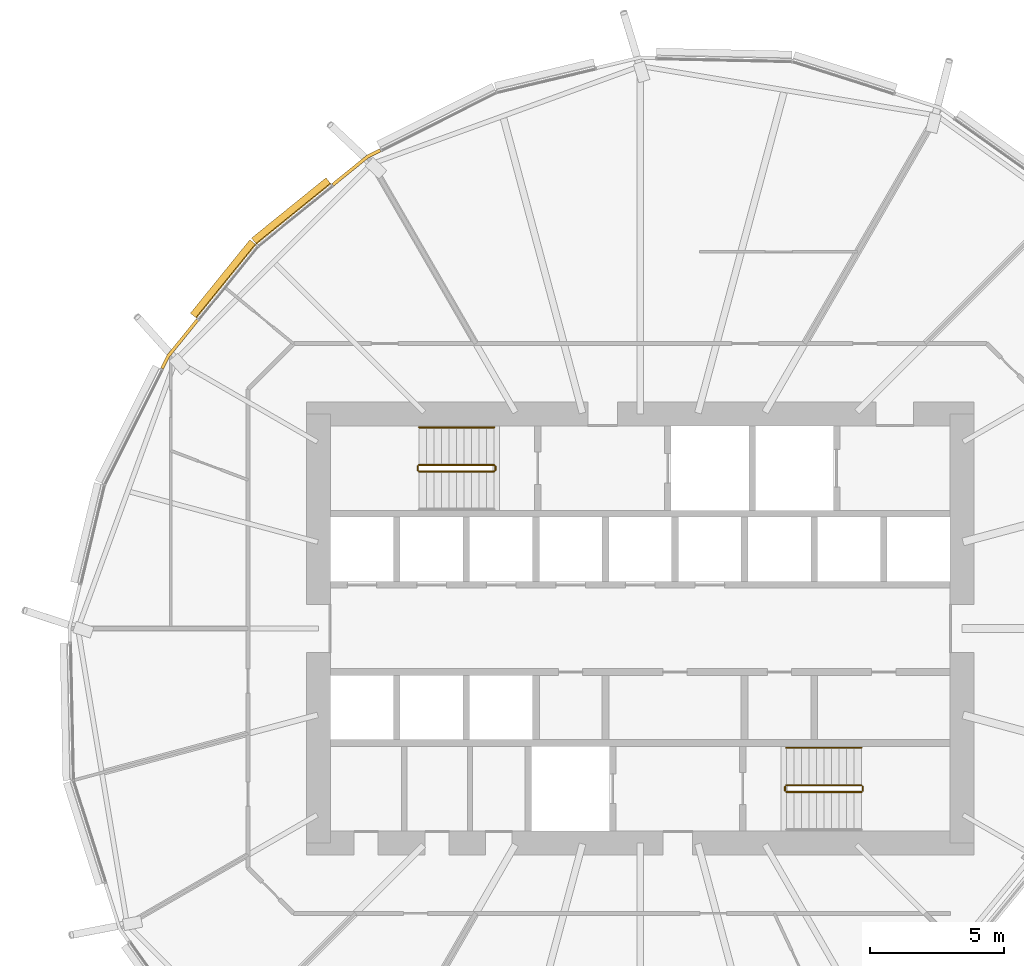
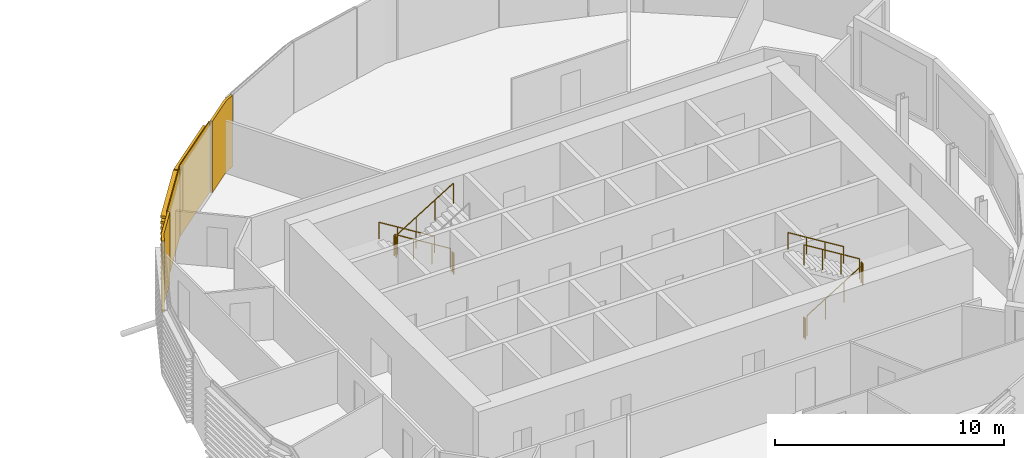
# One storey, part 36 of 37: 10 railings, 4 coverings.
"""IFC4 building model written with IfcOpenShell, lengths in metres."""

from ifc_helpers import new_model, si_unit, direction, frame, origin, origin_2d, place, context, subcontext, project, spatial, polyline, circle, outline, extrude, material, layer, layer_set, material_profile, profile_set, type_object, element, save


model = new_model("IFC4")

# Units and contexts
model_context = context("Model", 3, precision=1e-05, world=origin(), true_north=direction((0.0, 1.0)))
body_context = subcontext(model_context, "Body", "Model", "MODEL_VIEW")
ifc_project = project(units=[si_unit("LENGTHUNIT", "METRE"), si_unit("AREAUNIT", "SQUARE_METRE"), si_unit("VOLUMEUNIT", "CUBIC_METRE"), si_unit("PLANEANGLEUNIT", "RADIAN"), si_unit("MASSUNIT", "GRAM", prefix="KILO")], contexts=[model_context])

# Site, building, storey
site_placement = place(None, origin())
site = spatial("IfcSite", under=ifc_project, at=site_placement, CompositionType="ELEMENT")
building_placement = place(site_placement, origin())
building = spatial("IfcBuilding", under=site, at=building_placement, Name="Rimbun Link Towers", CompositionType="ELEMENT")
storey_placement = place(building_placement, frame((0.0, 0.0, 45.199951171875)))
storey = spatial("IfcBuildingStorey", under=building, at=storey_placement, Name="L10", CompositionType="ELEMENT", Elevation=45.199951171875)

# Coverings
ifc_material_1 = material(Name="Terracotta", Category="masonry")
ifc_layer = layer(ifc_material_1, 0.1201171875)
ifc_layer_set = layer_set([ifc_layer], Name="LINK PIER terracotta cladding 120")
covering_type_1 = type_object("IfcCoveringType", Name="LINK PIER terracotta cladding 120", PredefinedType="CLADDING", material=ifc_layer_set)
covering_1_placement = place(storey_placement, origin())
element("IfcCovering", 1, at=covering_1_placement, inside=storey, type_object=covering_type_1, Name="LINK PIER cladding", PredefinedType="CLADDING", context=body_context, shape_type="SweptSolid", body=[
    extrude(outline(polyline([(20.319580078125, 16.4990234375), (21.61767578125, 17.5498046875), (22.082275390625, 17.783203125), (22.028564453125, 17.890380859375), (21.55224609375, 17.651123046875), (20.244140625, 16.59228515625), (20.319580078125, 16.4990234375)])), origin(), (0.0, 0.0, 1.0), 3.800048828125),
])
covering_2_placement = place(storey_placement, origin())
element("IfcCovering", 2, at=covering_2_placement, inside=storey, type_object=covering_type_1, Name="LINK PIER cladding", PredefinedType="CLADDING", context=body_context, shape_type="SweptSolid", body=[
    extrude(outline(polyline([(13.966796875, 9.667724609375), (14.2001953125, 10.13232421875), (15.2822265625, 11.46923828125), (15.18896484375, 11.544921875), (14.098876953125, 10.19775390625), (13.859619140625, 9.721435546875), (13.966796875, 9.667724609375)])), origin(), (0.0, 0.0, 1.0), 3.800048828125),
])

# Railings
ifc_material_2 = material(Name="Stainless steel grade 316", Category="steel")
railing_type_1 = type_object("IfcRailingType", Name="Stair guard", PredefinedType="GUARDRAIL", material=ifc_material_2)
railing_1_placement = place(storey_placement, frame((26.300048828125, 6.10009765625, 0.1728515625)))
element("IfcRailing", 3, at=railing_1_placement, inside=storey, type_object=railing_type_1, Name="L10 ST3 stair guard 1", PredefinedType="GUARDRAIL", context=body_context, shape_type="SweptSolid", body=[
    extrude(circle(Radius=0.02392578125, at=origin_2d()), frame((0.0, 0.0, 1.076171875), z_axis=(-0.851089632645, 0.0, 0.525020415988), x_axis=(0.0, -1.0, 0.0)), (0.0, 0.0, 1.0), 3.2900390625),
    extrude(circle(Radius=0.02099609375, at=origin_2d()), origin(), (0.0, 0.0, 1.0), 1.052001953125),
    extrude(circle(Radius=0.02099609375, at=origin_2d()), frame((-0.933349609375, 0.0, 0.57568359375)), (0.0, 0.0, 1.0), 1.052001953125),
    extrude(circle(Radius=0.02099609375, at=origin_2d()), frame((-1.86669921875, 0.0, 1.151611328125)), (0.0, 0.0, 1.0), 1.052001953125),
    extrude(circle(Radius=0.02099609375, at=origin_2d()), frame((-2.800048828125, 0.0, 1.727294921875)), (0.0, 0.0, 1.0), 1.052001953125),
])
railing_2_placement = place(storey_placement, frame((23.449951171875, 6.050048828125, 1.900146484375)))
element("IfcRailing", 4, at=railing_2_placement, inside=storey, type_object=railing_type_1, Name="L10 ST3 stair guard 2", PredefinedType="GUARDRAIL", context=body_context, shape_type="SweptSolid", body=[
    extrude(circle(Radius=0.02392578125, at=origin_2d()), frame((0.0, 0.0, 1.076171875), z_axis=(0.0, -1.0, 0.0), x_axis=(1.0, 0.0, 0.0)), (0.0, 0.0, 1.0), 0.150146484375),
    extrude(circle(Radius=0.02099609375, at=origin_2d()), origin(), (0.0, 0.0, 1.0), 1.052001953125),
    extrude(circle(Radius=0.02099609375, at=origin_2d()), frame((0.0, -0.150146484375, 0.0)), (0.0, 0.0, 1.0), 1.052001953125),
])
railing_3_placement = place(storey_placement, frame((23.5, 5.85009765625, 2.07275390625)))
element("IfcRailing", 5, at=railing_3_placement, inside=storey, type_object=railing_type_1, Name="L10 ST3 stair guard 3", PredefinedType="GUARDRAIL", context=body_context, shape_type="SweptSolid", body=[
    extrude(circle(Radius=0.02392578125, at=origin_2d()), frame((0.0, 0.0, 1.076171875), z_axis=(0.851089632645, 0.0, 0.525020415988), x_axis=(0.0, 1.0, 0.0)), (0.0, 0.0, 1.0), 3.2900390625),
    extrude(circle(Radius=0.02099609375, at=origin_2d()), origin(), (0.0, 0.0, 1.0), 1.052001953125),
    extrude(circle(Radius=0.02099609375, at=origin_2d()), frame((0.933349609375, 0.0, 0.57568359375)), (0.0, 0.0, 1.0), 1.052001953125),
    extrude(circle(Radius=0.02099609375, at=origin_2d()), frame((1.86669921875, 0.0, 1.151611328125)), (0.0, 0.0, 1.0), 1.052001953125),
    extrude(circle(Radius=0.02099609375, at=origin_2d()), frame((2.800048828125, 0.0, 1.727294921875)), (0.0, 0.0, 1.0), 1.052001953125),
])
railing_4_placement = place(storey_placement, frame((26.35009765625, 6.050048828125, 0.0)))
element("IfcRailing", 6, at=railing_4_placement, inside=storey, type_object=railing_type_1, Name="L10 ST3 stair guard 4", PredefinedType="GUARDRAIL", context=body_context, shape_type="SweptSolid", body=[
    extrude(circle(Radius=0.02392578125, at=origin_2d()), frame((0.0, 0.0, 1.076171875), z_axis=(0.0, -1.0, 0.0), x_axis=(1.0, 0.0, 0.0)), (0.0, 0.0, 1.0), 0.150146484375),
    extrude(circle(Radius=0.02099609375, at=origin_2d()), origin(), (0.0, 0.0, 1.0), 1.052001953125),
    extrude(circle(Radius=0.02099609375, at=origin_2d()), frame((0.0, -0.150146484375, 0.0)), (0.0, 0.0, 1.0), 1.052001953125),
])
railing_5_placement = place(storey_placement, frame((37.199951171875, -6.10009765625, 0.1728515625)))
element("IfcRailing", 7, at=railing_5_placement, inside=storey, type_object=railing_type_1, Name="L10 ST4 stair guard 1", PredefinedType="GUARDRAIL", context=body_context, shape_type="SweptSolid", body=[
    extrude(circle(Radius=0.02392578125, at=origin_2d()), frame((0.0, 0.0, 1.076171875), z_axis=(0.851089632645, 0.0, 0.525020415988), x_axis=(0.0, 1.0, 0.0)), (0.0, 0.0, 1.0), 3.2900390625),
    extrude(circle(Radius=0.02099609375, at=origin_2d()), origin(), (0.0, 0.0, 1.0), 1.052001953125),
    extrude(circle(Radius=0.02099609375, at=origin_2d()), frame((0.933349609375, 0.0, 0.57568359375)), (0.0, 0.0, 1.0), 1.052001953125),
    extrude(circle(Radius=0.02099609375, at=origin_2d()), frame((1.86669921875, 0.0, 1.151611328125)), (0.0, 0.0, 1.0), 1.052001953125),
    extrude(circle(Radius=0.02099609375, at=origin_2d()), frame((2.800048828125, 0.0, 1.727294921875)), (0.0, 0.0, 1.0), 1.052001953125),
])
railing_6_placement = place(storey_placement, frame((40.050048828125, -6.050048828125, 1.900146484375)))
element("IfcRailing", 8, at=railing_6_placement, inside=storey, type_object=railing_type_1, Name="L10 ST4 stair guard 2", PredefinedType="GUARDRAIL", context=body_context, shape_type="SweptSolid", body=[
    extrude(circle(Radius=0.02392578125, at=origin_2d()), frame((0.0, 0.0, 1.076171875), z_axis=(0.0, 1.0, 0.0), x_axis=(-1.0, 0.0, 0.0)), (0.0, 0.0, 1.0), 0.150146484375),
    extrude(circle(Radius=0.02099609375, at=origin_2d()), origin(), (0.0, 0.0, 1.0), 1.052001953125),
    extrude(circle(Radius=0.02099609375, at=origin_2d()), frame((0.0, 0.150146484375, 0.0)), (0.0, 0.0, 1.0), 1.052001953125),
])
railing_7_placement = place(storey_placement, frame((40.0, -5.85009765625, 2.07275390625)))
element("IfcRailing", 9, at=railing_7_placement, inside=storey, type_object=railing_type_1, Name="L10 ST4 stair guard 3", PredefinedType="GUARDRAIL", context=body_context, shape_type="SweptSolid", body=[
    extrude(circle(Radius=0.02392578125, at=origin_2d()), frame((0.0, 0.0, 1.076171875), z_axis=(-0.851089632645, 0.0, 0.525020415988), x_axis=(0.0, -1.0, 0.0)), (0.0, 0.0, 1.0), 3.2900390625),
    extrude(circle(Radius=0.02099609375, at=origin_2d()), origin(), (0.0, 0.0, 1.0), 1.052001953125),
    extrude(circle(Radius=0.02099609375, at=origin_2d()), frame((-0.933349609375, 0.0, 0.57568359375)), (0.0, 0.0, 1.0), 1.052001953125),
    extrude(circle(Radius=0.02099609375, at=origin_2d()), frame((-1.86669921875, 0.0, 1.151611328125)), (0.0, 0.0, 1.0), 1.052001953125),
    extrude(circle(Radius=0.02099609375, at=origin_2d()), frame((-2.800048828125, 0.0, 1.727294921875)), (0.0, 0.0, 1.0), 1.052001953125),
])
railing_8_placement = place(storey_placement, frame((37.14990234375, -6.050048828125, 0.0)))
element("IfcRailing", 10, at=railing_8_placement, inside=storey, type_object=railing_type_1, Name="L10 ST4 stair guard 4", PredefinedType="GUARDRAIL", context=body_context, shape_type="SweptSolid", body=[
    extrude(circle(Radius=0.02392578125, at=origin_2d()), frame((0.0, 0.0, 1.076171875), z_axis=(0.0, 1.0, 0.0), x_axis=(-1.0, 0.0, 0.0)), (0.0, 0.0, 1.0), 0.150146484375),
    extrude(circle(Radius=0.02099609375, at=origin_2d()), origin(), (0.0, 0.0, 1.0), 1.052001953125),
    extrude(circle(Radius=0.02099609375, at=origin_2d()), frame((0.0, 0.150146484375, 0.0)), (0.0, 0.0, 1.0), 1.052001953125),
])
ifc_material_3 = material(Name="Stainless steel grade 316", Category="steel")
railing_type_2 = type_object("IfcRailingType", Name="Stair handrail", PredefinedType="HANDRAIL", material=ifc_material_3)
for number, where, name in (
    (11, (26.300048828125, 7.5, 0.1728515625), "L10 ST3 stair handrail 1"),
    (12, (40.0, -4.449951171875, 2.07275390625), "L10 ST4 stair handrail 2"),
):
    element("IfcRailing", number, at=place(storey_placement, frame(where)), inside=storey, type_object=railing_type_2, Name=name, PredefinedType="HANDRAIL", context=body_context, shape_type="SweptSolid", body=[
        extrude(circle(Radius=0.02392578125, at=origin_2d()), frame((0.0, 0.0, 0.8759765625), z_axis=(-0.851089632645, 0.0, 0.525020415988), x_axis=(0.0, -1.0, 0.0)), (0.0, 0.0, 1.0), 3.2900390625),
        extrude(circle(Radius=0.02099609375, at=origin_2d()), origin(), (0.0, 0.0, 1.0), 0.851806640625),
        extrude(circle(Radius=0.02099609375, at=origin_2d()), frame((-0.933349609375, 0.0, 0.57568359375)), (0.0, 0.0, 1.0), 0.851806640625),
        extrude(circle(Radius=0.02099609375, at=origin_2d()), frame((-1.86669921875, 0.0, 1.151611328125)), (0.0, 0.0, 1.0), 0.851806640625),
        extrude(circle(Radius=0.02099609375, at=origin_2d()), frame((-2.800048828125, 0.0, 1.727294921875)), (0.0, 0.0, 1.0), 0.851806640625),
    ])

# Coverings
ifc_material_4 = material(Name="Terracotta", Category="masonry")
ifc_material_profile = material_profile(ifc_material_4, outline(polyline([(0.123046875, 0.0), (0.1630859375, 0.0), (0.1630859375, 0.10009765625), (0.423095703125, 0.10009765625), (0.423095703125, 0.219970703125), (0.1630859375, 0.219970703125), (0.1630859375, 0.39990234375), (0.423095703125, 0.39990234375), (0.423095703125, 0.52001953125), (0.1630859375, 0.52001953125), (0.1630859375, 0.699951171875), (0.423095703125, 0.699951171875), (0.423095703125, 0.820068359375), (0.1630859375, 0.820068359375), (0.1630859375, 1.0), (0.423095703125, 1.0), (0.423095703125, 1.1201171875), (0.1630859375, 1.1201171875), (0.1630859375, 1.300048828125), (0.423095703125, 1.300048828125), (0.423095703125, 1.419921875), (0.1630859375, 1.419921875), (0.1630859375, 1.60009765625), (0.423095703125, 1.60009765625), (0.423095703125, 1.719970703125), (0.1630859375, 1.719970703125), (0.1630859375, 1.89990234375), (0.423095703125, 1.89990234375), (0.423095703125, 2.02001953125), (0.1630859375, 2.02001953125), (0.1630859375, 2.199951171875), (0.423095703125, 2.199951171875), (0.423095703125, 2.320068359375), (0.1630859375, 2.320068359375), (0.1630859375, 2.5), (0.423095703125, 2.5), (0.423095703125, 2.6201171875), (0.1630859375, 2.6201171875), (0.1630859375, 2.800048828125), (0.423095703125, 2.800048828125), (0.423095703125, 2.919921875), (0.1630859375, 2.919921875), (0.1630859375, 3.10009765625), (0.423095703125, 3.10009765625), (0.423095703125, 3.219970703125), (0.1630859375, 3.219970703125), (0.1630859375, 3.39990234375), (0.423095703125, 3.39990234375), (0.423095703125, 3.52001953125), (0.1630859375, 3.52001953125), (0.1630859375, 3.800048828125), (0.123046875, 3.800048828125), (0.123046875, 0.0)])), Name="BAGUETTE 120X300")
ifc_profile_set = profile_set([ifc_material_profile], Name="Terracotta")
covering_type_2 = type_object("IfcCoveringType", Name="TERRACOTTA BAGUETTE 120X300 H3800", PredefinedType="CLADDING", material=ifc_profile_set)
covering_3_placement = place(storey_placement, frame((17.518310546875, 14.231689453125, 0.0), z_axis=(0.777270323847, 0.629166785255, 0.0), x_axis=(-0.629166785255, 0.777270323847, 0.0)))
element("IfcCovering", 13, at=covering_3_placement, inside=storey, type_object=covering_type_2, Name="TERRACOTTA BAGUETTE", PredefinedType="CLADDING", context=body_context, shape_type="SweptSolid", body=[
    extrude(outline(polyline([(0.123046875, 0.0), (0.1630859375, 0.0), (0.1630859375, 0.10009765625), (0.423095703125, 0.10009765625), (0.423095703125, 0.219970703125), (0.1630859375, 0.219970703125), (0.1630859375, 0.39990234375), (0.423095703125, 0.39990234375), (0.423095703125, 0.52001953125), (0.1630859375, 0.52001953125), (0.1630859375, 0.699951171875), (0.423095703125, 0.699951171875), (0.423095703125, 0.820068359375), (0.1630859375, 0.820068359375), (0.1630859375, 1.0), (0.423095703125, 1.0), (0.423095703125, 1.1201171875), (0.1630859375, 1.1201171875), (0.1630859375, 1.300048828125), (0.423095703125, 1.300048828125), (0.423095703125, 1.419921875), (0.1630859375, 1.419921875), (0.1630859375, 1.60009765625), (0.423095703125, 1.60009765625), (0.423095703125, 1.719970703125), (0.1630859375, 1.719970703125), (0.1630859375, 1.89990234375), (0.423095703125, 1.89990234375), (0.423095703125, 2.02001953125), (0.1630859375, 2.02001953125), (0.1630859375, 2.199951171875), (0.423095703125, 2.199951171875), (0.423095703125, 2.320068359375), (0.1630859375, 2.320068359375), (0.1630859375, 2.5), (0.423095703125, 2.5), (0.423095703125, 2.6201171875), (0.1630859375, 2.6201171875), (0.1630859375, 2.800048828125), (0.423095703125, 2.800048828125), (0.423095703125, 2.919921875), (0.1630859375, 2.919921875), (0.1630859375, 3.10009765625), (0.423095703125, 3.10009765625), (0.423095703125, 3.219970703125), (0.1630859375, 3.219970703125), (0.1630859375, 3.39990234375), (0.423095703125, 3.39990234375), (0.423095703125, 3.52001953125), (0.1630859375, 3.52001953125), (0.1630859375, 3.800048828125), (0.123046875, 3.800048828125), (0.123046875, 0.0)])), origin(), (0.0, 0.0, 1.0), 3.57373046875),
])
covering_4_placement = place(storey_placement, frame((15.30126953125, 11.49267578125, 0.0), z_axis=(0.629154380386, 0.777280364888, 0.0), x_axis=(-0.777280364888, 0.629154380386, 0.0)))
element("IfcCovering", 14, at=covering_4_placement, inside=storey, type_object=covering_type_2, Name="TERRACOTTA BAGUETTE", PredefinedType="CLADDING", context=body_context, shape_type="SweptSolid", body=[
    extrude(outline(polyline([(0.123046875, 0.0), (0.1630859375, 0.0), (0.1630859375, 0.10009765625), (0.423095703125, 0.10009765625), (0.423095703125, 0.219970703125), (0.1630859375, 0.219970703125), (0.1630859375, 0.39990234375), (0.423095703125, 0.39990234375), (0.423095703125, 0.52001953125), (0.1630859375, 0.52001953125), (0.1630859375, 0.699951171875), (0.423095703125, 0.699951171875), (0.423095703125, 0.820068359375), (0.1630859375, 0.820068359375), (0.1630859375, 1.0), (0.423095703125, 1.0), (0.423095703125, 1.1201171875), (0.1630859375, 1.1201171875), (0.1630859375, 1.300048828125), (0.423095703125, 1.300048828125), (0.423095703125, 1.419921875), (0.1630859375, 1.419921875), (0.1630859375, 1.60009765625), (0.423095703125, 1.60009765625), (0.423095703125, 1.719970703125), (0.1630859375, 1.719970703125), (0.1630859375, 1.89990234375), (0.423095703125, 1.89990234375), (0.423095703125, 2.02001953125), (0.1630859375, 2.02001953125), (0.1630859375, 2.199951171875), (0.423095703125, 2.199951171875), (0.423095703125, 2.320068359375), (0.1630859375, 2.320068359375), (0.1630859375, 2.5), (0.423095703125, 2.5), (0.423095703125, 2.6201171875), (0.1630859375, 2.6201171875), (0.1630859375, 2.800048828125), (0.423095703125, 2.800048828125), (0.423095703125, 2.919921875), (0.1630859375, 2.919921875), (0.1630859375, 3.10009765625), (0.423095703125, 3.10009765625), (0.423095703125, 3.219970703125), (0.1630859375, 3.219970703125), (0.1630859375, 3.39990234375), (0.423095703125, 3.39990234375), (0.423095703125, 3.52001953125), (0.1630859375, 3.52001953125), (0.1630859375, 3.800048828125), (0.123046875, 3.800048828125), (0.123046875, 0.0)])), origin(), (0.0, 0.0, 1.0), 3.52392578125),
])

save(model, "model.ifc")
